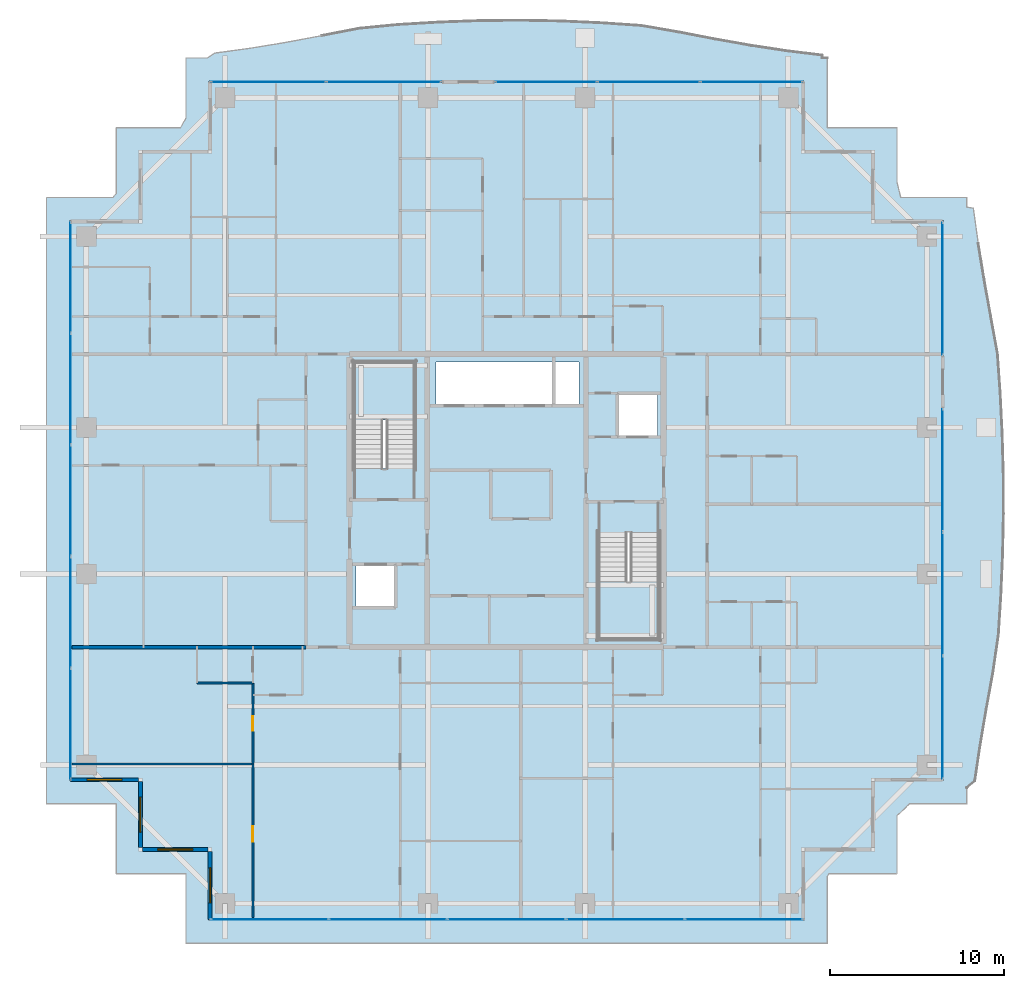
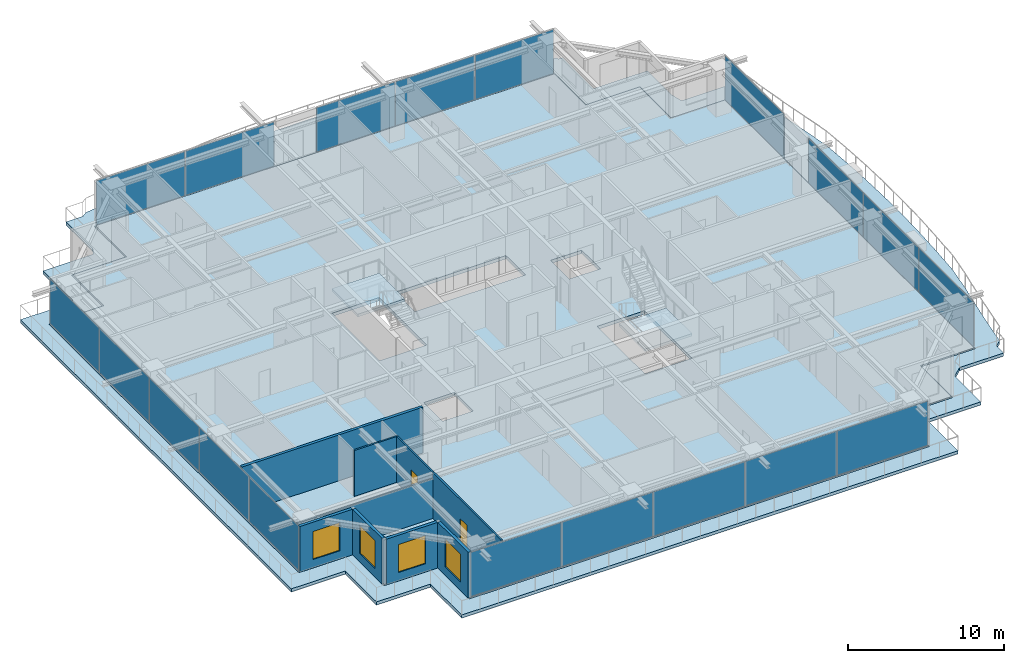
# One storey, part 25 of 37: 19 plates, 9 walls, 4 slabs, 4 windows, 2 doors, 6 openings, 8 elements without a shape of their own.
"""IFC4 building model written with IfcOpenShell, lengths in metres."""

from ifc_helpers import new_model, si_unit, direction, frame, frame_2d, origin, origin_2d, place, context, subcontext, project, spatial, polyline, rectangle, outline, extrude, source, transform, mapped, material, layer, layer_set, type_object, element, fill, aggregate, save


model = new_model("IFC4")

# Units and contexts
model_context = context("Model", 3, precision=1e-05, world=origin(), true_north=direction((0.0, 1.0)))
body_context = subcontext(model_context, "Body", "Model", "MODEL_VIEW")
ifc_project = project(units=[si_unit("LENGTHUNIT", "METRE"), si_unit("AREAUNIT", "SQUARE_METRE"), si_unit("VOLUMEUNIT", "CUBIC_METRE"), si_unit("PLANEANGLEUNIT", "RADIAN"), si_unit("MASSUNIT", "GRAM", prefix="KILO")], contexts=[model_context])

# Site, building, storey
site_placement = place(None, origin())
site = spatial("IfcSite", under=ifc_project, at=site_placement, CompositionType="ELEMENT")
building_placement = place(site_placement, origin())
building = spatial("IfcBuilding", under=site, at=building_placement, Name="Serunith Strait Residences", CompositionType="ELEMENT")
storey_placement = place(building_placement, frame((0.0, 0.0, 279.75)))
storey = spatial("IfcBuildingStorey", under=building, at=storey_placement, Name="L70", CompositionType="ELEMENT", Elevation=279.75)

# Slab
ifc_material_1 = material(Name="Concrete C50/60", Category="concrete")
ifc_layer_1 = layer(ifc_material_1, 0.239990234375, Name="Concrete C50/60")
ifc_layer_set_1 = layer_set([ifc_layer_1], Name="Concrete C50/60")
slab_type_1 = type_object("IfcSlabType", Name="SLB-BALC-240", PredefinedType="FLOOR", material=ifc_layer_set_1)
slab_1_placement = place(storey_placement, frame((0.0, 0.0, -0.2900390625)))
element("IfcSlab", 1, at=slab_1_placement, inside=storey, type_object=slab_type_1, Name="L70 Planted Vertical-Forest Balcony Slab", PredefinedType="FLOOR", context=body_context, shape_type="SweptSolid", body=[
    extrude(outline(polyline([(10.02001953125, 46.580078125), (13.705078125, 46.580078125), (14.02001953125, 47.148193359375), (14.02001953125, 50.580078125), (15.25537109375, 50.580078125), (15.652587890625, 50.85546875), (17.677734375, 51.1328125), (19.721435546875, 51.46923828125), (21.802001953125, 51.85693359375), (23.93994140625, 52.27197265625), (26.19384765625, 52.48779296875), (28.49560546875, 52.62548828125), (30.823974609375, 52.710205078125), (33.164794921875, 52.732666015625), (35.502197265625, 52.68994140625), (37.8203125, 52.586181640625), (40.106201171875, 52.431396484375), (42.284912109375, 52.056640625), (44.385498046875, 51.65087890625), (46.43994140625, 51.287353515625), (48.468505859375, 50.98095703125), (50.486328125, 50.733642578125), (50.485107421875, 50.580078125), (50.780029296875, 50.580078125), (50.780029296875, 46.580078125), (54.780029296875, 46.580078125), (54.780029296875, 43.44970703125), (54.992431640625, 42.580078125), (58.780029296875, 42.580078125), (58.780029296875, 42.0302734375), (59.155517578125, 41.966796875), (59.43896484375, 39.936279296875), (59.7744140625, 37.883544921875), (60.150390625, 35.79150390625), (60.5419921875, 33.642578125), (60.701171875, 31.379150390625), (60.815185546875, 29.08349609375), (60.8798828125, 26.766357421875), (60.888916015625, 24.440185546875), (60.841552734375, 22.118896484375), (60.7421875, 19.81494140625), (60.599609375, 17.5390625), (60.28173828125, 15.348388671875), (59.897216796875, 13.23876953125), (59.546142578125, 11.174560546875), (59.24462890625, 9.137939453125), (58.780029296875, 8.743896484375), (58.780029296875, 7.820068359375), (55.502197265625, 7.820068359375), (54.780029296875, 7.14453125), (54.780029296875, 3.820068359375), (50.8818359375, 3.820068359375), (50.780029296875, 3.664306640625), (50.780029296875, -0.179931640625), (14.02001953125, -0.179931640625), (14.02001953125, 3.820068359375), (10.02001953125, 3.820068359375), (10.02001953125, 7.820068359375), (6.02001953125, 7.820068359375), (6.02001953125, 42.580078125), (9.824951171875, 42.580078125), (10.02001953125, 42.802001953125), (10.02001953125, 46.580078125)]), holes=[polyline([(49.455078125, 1.14501953125), (49.455078125, 5.14501953125), (53.455078125, 5.14501953125), (53.455078125, 9.14501953125), (57.455078125, 9.14501953125), (57.455078125, 41.2548828125), (53.455078125, 41.2548828125), (53.455078125, 45.2548828125), (49.455078125, 45.2548828125), (49.455078125, 49.2548828125), (15.344970703125, 49.2548828125), (15.344970703125, 45.2548828125), (11.344970703125, 45.2548828125), (11.344970703125, 41.2548828125), (7.344970703125, 41.2548828125), (7.344970703125, 9.14501953125), (11.344970703125, 9.14501953125), (11.344970703125, 5.14501953125), (15.344970703125, 5.14501953125), (15.344970703125, 1.14501953125), (49.455078125, 1.14501953125)])]), origin(), (0.0, 0.0, 1.0), 0.239990234375),
])

# Stair, slab
stair_type_1 = type_object("IfcStairType", Name="STR-CORE-1", PredefinedType="HALF_TURN_STAIR", material=ifc_material_1)
stair_1_placement = place(storey_placement, origin())
stair_1 = element("IfcStair", 2, at=stair_1_placement, inside=storey, type_object=stair_type_1, Name="L70 Protected Escape Stair ST-1", PredefinedType="HALF_TURN_STAIR")
ifc_layer_2 = layer(ifc_material_1, 0.199951171875, Name="Concrete C50/60")
ifc_layer_set_2 = layer_set([ifc_layer_2], Name="Concrete C50/60")
slab_type_2 = type_object("IfcSlabType", Name="SLB-LAND-200", PredefinedType="LANDING", material=ifc_layer_set_2)
slab_2_placement = place(storey_placement, frame((0.0, 0.0, 1.72509765625)))
slab_2 = element("IfcSlab", 3, at=slab_2_placement, type_object=slab_type_2, Name="ST-1 landing 1", PredefinedType="LANDING", context=body_context, shape_type="SweptSolid", body=[
    extrude(outline(polyline([(27.14990234375, 29.830078125), (27.14990234375, 33.14990234375), (23.64990234375, 33.14990234375), (23.64990234375, 29.830078125), (27.14990234375, 29.830078125)])), origin(), (0.0, 0.0, 1.0), 0.199951171875),
])
aggregate(stair_1, [slab_2])

stair_type_2 = type_object("IfcStairType", Name="STR-CORE-2", PredefinedType="HALF_TURN_STAIR", material=ifc_material_1)
stair_2_placement = place(storey_placement, origin())
stair_2 = element("IfcStair", 4, at=stair_2_placement, inside=storey, type_object=stair_type_2, Name="L70 Protected Escape Stair ST-2", PredefinedType="HALF_TURN_STAIR")
slab_3_placement = place(storey_placement, frame((0.0, 0.0, 1.72509765625)))
slab_3 = element("IfcSlab", 5, at=slab_3_placement, type_object=slab_type_2, Name="ST-2 landing 1", PredefinedType="LANDING", context=body_context, shape_type="SweptSolid", body=[
    extrude(outline(polyline([(37.64990234375, 20.570068359375), (37.64990234375, 17.25), (41.14990234375, 17.25), (41.14990234375, 20.570068359375), (37.64990234375, 20.570068359375)])), origin(), (0.0, 0.0, 1.0), 0.199951171875),
])
aggregate(stair_2, [slab_3])

# Slab
ifc_material_2 = material(Name="Concrete C60/75", Category="concrete")
ifc_layer_3 = layer(ifc_material_2, 0.260009765625, Name="Concrete C60/75")
ifc_layer_set_3 = layer_set([ifc_layer_3], Name="Concrete C60/75")
slab_type_3 = type_object("IfcSlabType", Name="SLB-TWR-275-Z3", PredefinedType="FLOOR", material=ifc_layer_set_3)
slab_4_placement = place(storey_placement, frame((0.0, 0.0, -0.260009765625)))
element("IfcSlab", 6, at=slab_4_placement, inside=storey, type_object=slab_type_3, Name="L70 Structural Floor Plate", PredefinedType="FLOOR", context=body_context, shape_type="SweptSolid", body=[
    extrude(outline(polyline([(15.39990234375, 5.199951171875), (11.39990234375, 5.199951171875), (11.39990234375, 9.199951171875), (7.39990234375, 9.199951171875), (7.39990234375, 41.199951171875), (11.39990234375, 41.199951171875), (11.39990234375, 45.199951171875), (15.39990234375, 45.199951171875), (15.39990234375, 49.199951171875), (49.39990234375, 49.199951171875), (49.39990234375, 45.199951171875), (53.39990234375, 45.199951171875), (53.39990234375, 41.199951171875), (57.39990234375, 41.199951171875), (57.39990234375, 9.199951171875), (53.39990234375, 9.199951171875), (53.39990234375, 5.199951171875), (49.39990234375, 5.199951171875), (49.39990234375, 1.199951171875), (15.39990234375, 1.199951171875), (15.39990234375, 5.199951171875)]), holes=[polyline([(41.14990234375, 23.3701171875), (37.64990234375, 23.3701171875), (37.64990234375, 17.25), (41.14990234375, 17.25), (41.14990234375, 23.3701171875)]), polyline([(38.75, 31.25), (38.75, 28.85009765625), (41.050048828125, 28.85009765625), (41.050048828125, 31.25), (38.75, 31.25)]), polyline([(36.550048828125, 33.14990234375), (28.35009765625, 33.14990234375), (28.35009765625, 30.64990234375), (36.550048828125, 30.64990234375), (36.550048828125, 33.14990234375)]), polyline([(23.64990234375, 33.14990234375), (23.64990234375, 27.030029296875), (27.14990234375, 27.030029296875), (27.14990234375, 33.14990234375), (23.64990234375, 33.14990234375)]), polyline([(23.75, 21.550048828125), (23.75, 19.14990234375), (26.050048828125, 19.14990234375), (26.050048828125, 21.550048828125), (23.75, 21.550048828125)])]), origin(), (0.0, 0.0, 1.0), 0.260009765625),
])

# Curtain wall, plates
ifc_material_3 = material(Name="Pale-Champagne Anodised Aluminium", Category="aluminium")
ifc_layer_4 = layer(ifc_material_3, 0.199951171875, Name="Pale-Champagne Anodised Aluminium")
ifc_layer_set_4 = layer_set([ifc_layer_4], Name="Pale-Champagne Anodised Aluminium")
curtain_wall_type = type_object("IfcCurtainWallType", Name="CW-SYS4", PredefinedType="NOTDEFINED", material=ifc_layer_set_4)
curtain_wall_1_placement = place(storey_placement, origin())
curtain_wall_1 = element("IfcCurtainWall", 7, at=curtain_wall_1_placement, inside=storey, type_object=curtain_wall_type, Name="L70 W Unitised Fritted Curtain Wall", PredefinedType="NOTDEFINED")
ifc_material_4 = material(Name="Ceramic-Printed Solar-Control Glazing 28mm", Category="glass")
ifc_layer_5 = layer(ifc_material_4, 0.028076171875, Name="Ceramic-Printed Solar-Control Glazing 28mm")
ifc_layer_set_5 = layer_set([ifc_layer_5], Name="Ceramic-Printed Solar-Control Glazing 28mm")
plate_type = type_object("IfcPlateType", Name="CW-SYS4-PNL", PredefinedType="CURTAIN_PANEL", material=ifc_layer_set_5)
shared_shape_1 = source(origin(), body_context, "Body", "SweptSolid", [
    extrude(rectangle(XDim=6.302490234375, YDim=0.028076171875, at=origin_2d()), origin(), (0.0, 0.0, 1.0), 3.455078125),
])
plate_1_placement = place(storey_placement, frame((7.39990234375, 37.983642578125, 0.06005859375), z_axis=(0.0, 0.0, 1.0), x_axis=(0.0, -1.0, 0.0)))
plate_1 = element("IfcPlate", 8, at=plate_1_placement, type_object=plate_type, Name="CW-4 panel 1.1", PredefinedType="CURTAIN_PANEL", context=body_context, shape_type="MappedRepresentation", body=[
    mapped(shared_shape_1, transform((0.0, 0.0, 0.0), scale=1.0)),
])
plate_2_placement = place(storey_placement, frame((7.39990234375, 12.416259765625, 0.06005859375), z_axis=(0.0, 0.0, 1.0), x_axis=(0.0, -1.0, 0.0)))
plate_2 = element("IfcPlate", 9, at=plate_2_placement, type_object=plate_type, Name="CW-4 panel 5.1", PredefinedType="CURTAIN_PANEL", context=body_context, shape_type="MappedRepresentation", body=[
    mapped(shared_shape_1, transform((0.0, 0.0, 0.0), scale=1.0)),
])
shared_shape_2 = source(origin(), body_context, "Body", "SweptSolid", [
    extrude(rectangle(XDim=6.3349609375, YDim=0.028076171875, at=origin_2d()), origin(), (0.0, 0.0, 1.0), 3.455078125),
])
plate_3_placement = place(storey_placement, frame((7.39990234375, 31.60009765625, 0.06005859375), z_axis=(0.0, 0.0, 1.0), x_axis=(0.0, -1.0, 0.0)))
plate_3 = element("IfcPlate", 10, at=plate_3_placement, type_object=plate_type, Name="CW-4 panel 2.1", PredefinedType="CURTAIN_PANEL", context=body_context, shape_type="MappedRepresentation", body=[
    mapped(shared_shape_2, transform((0.0, 0.0, 0.0), scale=1.0)),
])
plate_4_placement = place(storey_placement, frame((7.39990234375, 25.199951171875, 0.06005859375), z_axis=(0.0, 0.0, 1.0), x_axis=(0.0, -1.0, 0.0)))
plate_4 = element("IfcPlate", 11, at=plate_4_placement, type_object=plate_type, Name="CW-4 panel 3.1", PredefinedType="CURTAIN_PANEL", context=body_context, shape_type="MappedRepresentation", body=[
    mapped(shared_shape_2, transform((0.0, 0.0, 0.0), scale=1.0)),
])
plate_5_placement = place(storey_placement, frame((7.39990234375, 18.800048828125, 0.06005859375), z_axis=(0.0, 0.0, 1.0), x_axis=(0.0, -1.0, 0.0)))
plate_5 = element("IfcPlate", 12, at=plate_5_placement, type_object=plate_type, Name="CW-4 panel 4.1", PredefinedType="CURTAIN_PANEL", context=body_context, shape_type="MappedRepresentation", body=[
    mapped(shared_shape_2, transform((0.0, 0.0, 0.0), scale=1.0)),
])
aggregate(curtain_wall_1, [plate_1, plate_3, plate_4, plate_5, plate_2])

curtain_wall_2_placement = place(storey_placement, origin())
curtain_wall_2 = element("IfcCurtainWall", 13, at=curtain_wall_2_placement, inside=storey, type_object=curtain_wall_type, Name="L70 S Unitised Fritted Curtain Wall", PredefinedType="NOTDEFINED")
shared_shape_3 = source(origin(), body_context, "Body", "SweptSolid", [
    extrude(rectangle(XDim=6.702392578125, YDim=0.028076171875, at=origin_2d()), origin(), (0.0, 0.0, 1.0), 3.455078125),
])
plate_6_placement = place(storey_placement, frame((18.816162109375, 1.199951171875, 0.06005859375), z_axis=(0.0, 0.0, 1.0), x_axis=(1.0, 0.0, 0.0)))
plate_6 = element("IfcPlate", 14, at=plate_6_placement, type_object=plate_type, Name="CW-4 panel 1.1", PredefinedType="CURTAIN_PANEL", context=body_context, shape_type="MappedRepresentation", body=[
    mapped(shared_shape_3, transform((0.0, 0.0, 0.0), scale=1.0)),
])
plate_7_placement = place(storey_placement, frame((45.983642578125, 1.199951171875, 0.06005859375), z_axis=(0.0, 0.0, 1.0), x_axis=(1.0, 0.0, 0.0)))
plate_7 = element("IfcPlate", 15, at=plate_7_placement, type_object=plate_type, Name="CW-4 panel 5.1", PredefinedType="CURTAIN_PANEL", context=body_context, shape_type="MappedRepresentation", body=[
    mapped(shared_shape_3, transform((0.0, 0.0, 0.0), scale=1.0)),
])
shared_shape_4 = source(origin(), body_context, "Body", "SweptSolid", [
    extrude(rectangle(XDim=6.735107421875, YDim=0.028076171875, at=origin_2d()), origin(), (0.0, 0.0, 1.0), 3.455078125),
])
plate_8_placement = place(storey_placement, frame((25.60009765625, 1.199951171875, 0.06005859375), z_axis=(0.0, 0.0, 1.0), x_axis=(1.0, 0.0, 0.0)))
plate_8 = element("IfcPlate", 16, at=plate_8_placement, type_object=plate_type, Name="CW-4 panel 2.1", PredefinedType="CURTAIN_PANEL", context=body_context, shape_type="MappedRepresentation", body=[
    mapped(shared_shape_4, transform((0.0, 0.0, 0.0), scale=1.0)),
])
plate_9_placement = place(storey_placement, frame((32.39990234375, 1.199951171875, 0.06005859375), z_axis=(0.0, 0.0, 1.0), x_axis=(1.0, 0.0, 0.0)))
plate_9 = element("IfcPlate", 17, at=plate_9_placement, type_object=plate_type, Name="CW-4 panel 3.1", PredefinedType="CURTAIN_PANEL", context=body_context, shape_type="MappedRepresentation", body=[
    mapped(shared_shape_4, transform((0.0, 0.0, 0.0), scale=1.0)),
])
plate_10_placement = place(storey_placement, frame((39.199951171875, 1.199951171875, 0.06005859375), z_axis=(0.0, 0.0, 1.0), x_axis=(1.0, 0.0, 0.0)))
plate_10 = element("IfcPlate", 18, at=plate_10_placement, type_object=plate_type, Name="CW-4 panel 4.1", PredefinedType="CURTAIN_PANEL", context=body_context, shape_type="MappedRepresentation", body=[
    mapped(shared_shape_4, transform((0.0, 0.0, 0.0), scale=1.0)),
])
aggregate(curtain_wall_2, [plate_6, plate_8, plate_9, plate_10, plate_7])

curtain_wall_3_placement = place(storey_placement, origin())
curtain_wall_3 = element("IfcCurtainWall", 19, at=curtain_wall_3_placement, inside=storey, type_object=curtain_wall_type, Name="L70 N Unitised Fritted Curtain Wall", PredefinedType="NOTDEFINED")
shared_shape_5 = source(origin(), body_context, "Body", "SweptSolid", [
    extrude(rectangle(XDim=6.552490234375, YDim=0.028076171875, at=origin_2d()), origin(), (0.0, 0.0, 1.0), 3.455078125),
])
plate_11_placement = place(storey_placement, frame((25.358642578125, 49.199951171875, 0.06005859375), z_axis=(0.0, 0.0, 1.0), x_axis=(-1.0, 0.0, 0.0)))
plate_11 = element("IfcPlate", 20, at=plate_11_placement, type_object=plate_type, Name="CW-4 panel 1.1", PredefinedType="CURTAIN_PANEL", context=body_context, shape_type="MappedRepresentation", body=[
    mapped(shared_shape_5, transform((0.0, 0.0, 0.0), scale=1.0)),
])
plate_12_placement = place(storey_placement, frame((18.7412109375, 49.199951171875, 0.06005859375), z_axis=(0.0, 0.0, 1.0), x_axis=(-1.0, 0.0, 0.0)))
plate_12 = element("IfcPlate", 21, at=plate_12_placement, type_object=plate_type, Name="CW-4 panel 2.1", PredefinedType="CURTAIN_PANEL", context=body_context, shape_type="MappedRepresentation", body=[
    mapped(shared_shape_5, transform((0.0, 0.0, 0.0), scale=1.0)),
])
aggregate(curtain_wall_3, [plate_11, plate_12])

curtain_wall_4_placement = place(storey_placement, origin())
curtain_wall_4 = element("IfcCurtainWall", 22, at=curtain_wall_4_placement, inside=storey, type_object=curtain_wall_type, Name="L70 N Unitised Fritted Curtain Wall", PredefinedType="NOTDEFINED")
shared_shape_6 = source(origin(), body_context, "Body", "SweptSolid", [
    extrude(rectangle(XDim=5.802490234375, YDim=0.028076171875, at=origin_2d()), origin(), (0.0, 0.0, 1.0), 3.455078125),
])
plate_13_placement = place(storey_placement, frame((46.433837890625, 49.199951171875, 0.06005859375), z_axis=(0.0, 0.0, 1.0), x_axis=(-1.0, 0.0, 0.0)))
plate_13 = element("IfcPlate", 23, at=plate_13_placement, type_object=plate_type, Name="CW-4 panel 1.1", PredefinedType="CURTAIN_PANEL", context=body_context, shape_type="MappedRepresentation", body=[
    mapped(shared_shape_6, transform((0.0, 0.0, 0.0), scale=1.0)),
])
plate_14_placement = place(storey_placement, frame((34.666259765625, 49.199951171875, 0.06005859375), z_axis=(0.0, 0.0, 1.0), x_axis=(-1.0, 0.0, 0.0)))
plate_14 = element("IfcPlate", 24, at=plate_14_placement, type_object=plate_type, Name="CW-4 panel 3.1", PredefinedType="CURTAIN_PANEL", context=body_context, shape_type="MappedRepresentation", body=[
    mapped(shared_shape_6, transform((0.0, 0.0, 0.0), scale=1.0)),
])
shared_shape_7 = source(origin(), body_context, "Body", "SweptSolid", [
    extrude(rectangle(XDim=5.8349609375, YDim=0.028076171875, at=origin_2d()), origin(), (0.0, 0.0, 1.0), 3.455078125),
])
plate_15_placement = place(storey_placement, frame((40.550048828125, 49.199951171875, 0.06005859375), z_axis=(0.0, 0.0, 1.0), x_axis=(-1.0, 0.0, 0.0)))
plate_15 = element("IfcPlate", 25, at=plate_15_placement, type_object=plate_type, Name="CW-4 panel 2.1", PredefinedType="CURTAIN_PANEL", context=body_context, shape_type="MappedRepresentation", body=[
    mapped(shared_shape_7, transform((0.0, 0.0, 0.0), scale=1.0)),
])
aggregate(curtain_wall_4, [plate_13, plate_15, plate_14])

curtain_wall_5_placement = place(storey_placement, origin())
curtain_wall_5 = element("IfcCurtainWall", 26, at=curtain_wall_5_placement, inside=storey, type_object=curtain_wall_type, Name="L70 E Unitised Fritted Curtain Wall", PredefinedType="NOTDEFINED")
shared_shape_8 = source(origin(), body_context, "Body", "SweptSolid", [
    extrude(rectangle(XDim=7.00244140625, YDim=0.028076171875, at=origin_2d()), origin(), (0.0, 0.0, 1.0), 3.455078125),
])
plate_16_placement = place(storey_placement, frame((57.39990234375, 12.766357421875, 0.06005859375), z_axis=(0.0, 0.0, 1.0), x_axis=(0.0, 1.0, 0.0)))
plate_16 = element("IfcPlate", 27, at=plate_16_placement, type_object=plate_type, Name="CW-4 panel 1.1", PredefinedType="CURTAIN_PANEL", context=body_context, shape_type="MappedRepresentation", body=[
    mapped(shared_shape_8, transform((0.0, 0.0, 0.0), scale=1.0)),
])
plate_17_placement = place(storey_placement, frame((57.39990234375, 26.933837890625, 0.06005859375), z_axis=(0.0, 0.0, 1.0), x_axis=(0.0, 1.0, 0.0)))
plate_17 = element("IfcPlate", 28, at=plate_17_placement, type_object=plate_type, Name="CW-4 panel 3.1", PredefinedType="CURTAIN_PANEL", context=body_context, shape_type="MappedRepresentation", body=[
    mapped(shared_shape_8, transform((0.0, 0.0, 0.0), scale=1.0)),
])
shared_shape_9 = source(origin(), body_context, "Body", "SweptSolid", [
    extrude(rectangle(XDim=7.034912109375, YDim=0.028076171875, at=origin_2d()), origin(), (0.0, 0.0, 1.0), 3.455078125),
])
plate_18_placement = place(storey_placement, frame((57.39990234375, 19.85009765625, 0.06005859375), z_axis=(0.0, 0.0, 1.0), x_axis=(0.0, 1.0, 0.0)))
plate_18 = element("IfcPlate", 29, at=plate_18_placement, type_object=plate_type, Name="CW-4 panel 2.1", PredefinedType="CURTAIN_PANEL", context=body_context, shape_type="MappedRepresentation", body=[
    mapped(shared_shape_9, transform((0.0, 0.0, 0.0), scale=1.0)),
])
aggregate(curtain_wall_5, [plate_16, plate_18, plate_17])

# Curtain wall, plate
curtain_wall_6_placement = place(storey_placement, origin())
curtain_wall_6 = element("IfcCurtainWall", 30, at=curtain_wall_6_placement, inside=storey, type_object=curtain_wall_type, Name="L70 E Unitised Fritted Curtain Wall", PredefinedType="NOTDEFINED")
shared_shape_10 = source(origin(), body_context, "Body", "SweptSolid", [
    extrude(rectangle(XDim=7.570068359375, YDim=0.028076171875, at=origin_2d()), origin(), (0.0, 0.0, 1.0), 3.455078125),
])
plate_19_placement = place(storey_placement, frame((57.39990234375, 37.35009765625, 0.06005859375), z_axis=(0.0, 0.0, 1.0), x_axis=(0.0, 1.0, 0.0)))
plate_19 = element("IfcPlate", 31, at=plate_19_placement, type_object=plate_type, Name="CW-4 panel 1.1", PredefinedType="CURTAIN_PANEL", context=body_context, shape_type="MappedRepresentation", body=[
    mapped(shared_shape_10, transform((0.0, 0.0, 0.0), scale=1.0)),
])
aggregate(curtain_wall_6, [plate_19])

# Wall, opening, window
ifc_material_5 = material(Name="Pale-Champagne Aluminium Insulated Panel", Category="aluminium")
ifc_layer_6 = layer(ifc_material_5, 0.219970703125, Name="Pale-Champagne Aluminium Insulated Panel")
ifc_layer_set_6 = layer_set([ifc_layer_6], Name="Pale-Champagne Aluminium Insulated Panel")
wall_type_1 = type_object("IfcWallType", Name="EW-ALUM-220", PredefinedType="ELEMENTEDWALL", material=ifc_layer_set_6)
wall_1_placement = place(storey_placement, frame((7.39990234375, 9.199951171875, 0.0), z_axis=(0.0, 0.0, 1.0), x_axis=(1.0, 0.0, 0.0)))
wall_1 = element("IfcWall", 32, at=wall_1_placement, inside=storey, type_object=wall_type_1, Name="L70 Girih Serrated Corner Wall 17", PredefinedType="ELEMENTEDWALL", context=body_context, shape_type="SweptSolid", body=[
    extrude(rectangle(XDim=3.89013671875, YDim=0.219970703125, at=frame_2d((1.945068359375, 0.0))), origin(), (0.0, 0.0, 1.0), 3.574951171875),
])
opening_1_placement = place(wall_1_placement, frame((0.945068359375, 0.0, 0.64990234375)))
opening_1 = element("IfcOpeningElement", 33, at=opening_1_placement, cuts=wall_1, Name="Opening W-04", PredefinedType="OPENING", context=body_context, shape_type="SweptSolid", body=[
    extrude(rectangle(XDim=2.0, YDim=2.199951171875, at=frame_2d((1.0, 1.10009765625))), frame((0.0, 0.1201171875, 0.0), z_axis=(0.0, -1.0, 0.0), x_axis=(1.0, 0.0, 0.0)), (0.0, 0.0, 1.0), 0.239990234375),
])
ifc_material_6 = material(Name="Ceramic-Fritted Operable Aluminium Window Glass", Category="aluminium")
window_type = type_object("IfcWindowType", Name="WIN-C4", PartitioningType="TRIPLE_PANEL_VERTICAL", PredefinedType="WINDOW", material=ifc_material_6)
shared_shape_11 = source(origin(), body_context, "Body", "SweptSolid", [
    extrude(rectangle(XDim=2.0, YDim=2.199951171875, at=frame_2d((1.0, 1.10009765625))), frame((0.0, 0.030029296875, 0.0), z_axis=(0.0, -1.0, 0.0), x_axis=(1.0, 0.0, 0.0)), (0.0, 0.0, 1.0), 0.06005859375),
])
window_1_placement = place(opening_1_placement, origin())
window_1 = element("IfcWindow", 34, at=window_1_placement, inside=storey, type_object=window_type, Name="L70 Corner Operable Fritted Window 17", OverallHeight=2.199951171875, OverallWidth=2.0, PartitioningType="SINGLE_PANEL", PredefinedType="WINDOW", context=body_context, shape_type="MappedRepresentation", body=[
    mapped(shared_shape_11, transform((0.0, 0.0, 0.0), scale=1.0)),
])
fill(opening_1, window_1)

wall_2_placement = place(storey_placement, frame((11.39990234375, 9.090087890625, 0.0), z_axis=(0.0, 0.0, 1.0), x_axis=(0.0, -1.0, 0.0)))
wall_2 = element("IfcWall", 35, at=wall_2_placement, inside=storey, type_object=wall_type_1, Name="L70 Girih Serrated Corner Wall 18", PredefinedType="ELEMENTEDWALL", context=body_context, shape_type="SweptSolid", body=[
    extrude(rectangle(XDim=3.780029296875, YDim=0.219970703125, at=frame_2d((1.89013671875, 0.0))), origin(), (0.0, 0.0, 1.0), 3.574951171875),
])
opening_2_placement = place(wall_2_placement, frame((0.889892578125, 0.0, 0.64990234375)))
opening_2 = element("IfcOpeningElement", 36, at=opening_2_placement, cuts=wall_2, Name="Opening W-04", PredefinedType="OPENING", context=body_context, shape_type="SweptSolid", body=[
    extrude(rectangle(XDim=2.0, YDim=2.199951171875, at=frame_2d((1.0, 1.10009765625))), frame((0.0, 0.1201171875, 0.0), z_axis=(0.0, -1.0, 0.0), x_axis=(1.0, 0.0, 0.0)), (0.0, 0.0, 1.0), 0.239990234375),
])
window_2_placement = place(opening_2_placement, origin())
window_2 = element("IfcWindow", 37, at=window_2_placement, inside=storey, type_object=window_type, Name="L70 Corner Operable Fritted Window 18", OverallHeight=2.199951171875, OverallWidth=2.0, PartitioningType="SINGLE_PANEL", PredefinedType="WINDOW", context=body_context, shape_type="MappedRepresentation", body=[
    mapped(shared_shape_11, transform((0.0, 0.0, 0.0), scale=1.0)),
])
fill(opening_2, window_2)

wall_3_placement = place(storey_placement, frame((11.510009765625, 5.199951171875, 0.0), z_axis=(0.0, 0.0, 1.0), x_axis=(1.0, 0.0, 0.0)))
wall_3 = element("IfcWall", 38, at=wall_3_placement, inside=storey, type_object=wall_type_1, Name="L70 Girih Serrated Corner Wall 19", PredefinedType="ELEMENTEDWALL", context=body_context, shape_type="SweptSolid", body=[
    extrude(rectangle(XDim=3.780029296875, YDim=0.219970703125, at=frame_2d((1.89013671875, 0.0))), origin(), (0.0, 0.0, 1.0), 3.574951171875),
])
opening_3_placement = place(wall_3_placement, frame((0.889892578125, 0.0, 0.64990234375)))
opening_3 = element("IfcOpeningElement", 39, at=opening_3_placement, cuts=wall_3, Name="Opening W-04", PredefinedType="OPENING", context=body_context, shape_type="SweptSolid", body=[
    extrude(rectangle(XDim=2.0, YDim=2.199951171875, at=frame_2d((1.0, 1.10009765625))), frame((0.0, 0.1201171875, 0.0), z_axis=(0.0, -1.0, 0.0), x_axis=(1.0, 0.0, 0.0)), (0.0, 0.0, 1.0), 0.239990234375),
])
window_3_placement = place(opening_3_placement, origin())
window_3 = element("IfcWindow", 40, at=window_3_placement, inside=storey, type_object=window_type, Name="L70 Corner Operable Fritted Window 19", OverallHeight=2.199951171875, OverallWidth=2.0, PartitioningType="SINGLE_PANEL", PredefinedType="WINDOW", context=body_context, shape_type="MappedRepresentation", body=[
    mapped(shared_shape_11, transform((0.0, 0.0, 0.0), scale=1.0)),
])
fill(opening_3, window_3)

wall_4_placement = place(storey_placement, frame((15.39990234375, 5.090087890625, 0.0), z_axis=(0.0, 0.0, 1.0), x_axis=(0.0, -1.0, 0.0)))
wall_4 = element("IfcWall", 41, at=wall_4_placement, inside=storey, type_object=wall_type_1, Name="L70 Girih Serrated Corner Wall 20", PredefinedType="ELEMENTEDWALL", context=body_context, shape_type="SweptSolid", body=[
    extrude(rectangle(XDim=3.89013671875, YDim=0.219970703125, at=frame_2d((1.945068359375, 0.0))), origin(), (0.0, 0.0, 1.0), 3.574951171875),
])
opening_4_placement = place(wall_4_placement, frame((0.945068359375, 0.0, 0.64990234375)))
opening_4 = element("IfcOpeningElement", 42, at=opening_4_placement, cuts=wall_4, Name="Opening W-04", PredefinedType="OPENING", context=body_context, shape_type="SweptSolid", body=[
    extrude(rectangle(XDim=2.0, YDim=2.199951171875, at=frame_2d((1.0, 1.10009765625))), frame((0.0, 0.1201171875, 0.0), z_axis=(0.0, -1.0, 0.0), x_axis=(1.0, 0.0, 0.0)), (0.0, 0.0, 1.0), 0.239990234375),
])
window_4_placement = place(opening_4_placement, origin())
window_4 = element("IfcWindow", 43, at=window_4_placement, inside=storey, type_object=window_type, Name="L70 Corner Operable Fritted Window 20", OverallHeight=2.199951171875, OverallWidth=2.0, PartitioningType="SINGLE_PANEL", PredefinedType="WINDOW", context=body_context, shape_type="MappedRepresentation", body=[
    mapped(shared_shape_11, transform((0.0, 0.0, 0.0), scale=1.0)),
])
fill(opening_4, window_4)

# Wall, opening, door
ifc_material_7 = material(Name="Lightweight steel-stud gypsum partition", Category="steel")
ifc_layer_7 = layer(ifc_material_7, 0.1201171875, Name="Lightweight steel-stud gypsum partition")
ifc_layer_set_7 = layer_set([ifc_layer_7], Name="Lightweight steel-stud gypsum partition")
wall_type_2 = type_object("IfcWallType", Name="IW-PART-120", PredefinedType="PARTITIONING", material=ifc_layer_set_7)
wall_5_placement = place(storey_placement, frame((17.85009765625, 1.294921875, 0.0), z_axis=(0.0, 0.0, 1.0), x_axis=(0.0, 1.0, 0.0)))
wall_5 = element("IfcWall", 44, at=wall_5_placement, inside=storey, type_object=wall_type_2, Name="L70 Partition Wall 034", PredefinedType="PARTITIONING", context=body_context, shape_type="SweptSolid", body=[
    extrude(rectangle(XDim=8.799072265625, YDim=0.1201171875, at=frame_2d((4.3994140625, 0.0))), origin(), (0.0, 0.0, 1.0), 3.590087890625),
])
opening_5_placement = place(wall_5_placement, frame((4.343994140625, 0.0, 0.0)))
opening_5 = element("IfcOpeningElement", 45, at=opening_5_placement, cuts=wall_5, Name="Opening D-RM900", PredefinedType="OPENING", context=body_context, shape_type="SweptSolid", body=[
    extrude(rectangle(XDim=0.89990234375, YDim=2.10009765625, at=frame_2d((0.449951171875, 1.050048828125))), frame((0.0, 0.070068359375, 0.0), z_axis=(0.0, -1.0, 0.0), x_axis=(1.0, 0.0, 0.0)), (0.0, 0.0, 1.0), 0.14013671875),
])
ifc_material_8 = material(Name="Engineered timber flush bedroom door", Category="wood")
door_type_1 = type_object("IfcDoorType", Name="ID-ROOM-900", OperationType="NOTDEFINED", PredefinedType="DOOR", material=ifc_material_8)
shared_shape_12 = source(origin(), body_context, "Body", "SweptSolid", [
    extrude(rectangle(XDim=0.89990234375, YDim=2.10009765625, at=frame_2d((0.449951171875, 1.050048828125))), frame((0.0, 0.02490234375, 0.0), z_axis=(0.0, -1.0, 0.0), x_axis=(1.0, 0.0, 0.0)), (0.0, 0.0, 1.0), 0.050048828125),
])
door_1_placement = place(opening_5_placement, origin())
door_1 = element("IfcDoor", 46, at=door_1_placement, inside=storey, type_object=door_type_1, Name="L70 Master Bedroom 1 7001 Door", OperationType="SINGLE_SWING_RIGHT", OverallHeight=2.10009765625, OverallWidth=0.89990234375, PredefinedType="DOOR", context=body_context, shape_type="MappedRepresentation", body=[
    mapped(shared_shape_12, transform((0.0, 0.0, 0.0), scale=1.0)),
])
fill(opening_5, door_1)

# Walls
wall_6_placement = place(storey_placement, frame((7.4951171875, 10.093994140625, 0.0), z_axis=(0.0, 0.0, 1.0), x_axis=(1.0, 0.0, 0.0)))
element("IfcWall", 47, at=wall_6_placement, inside=storey, type_object=wall_type_2, Name="L70 Partition Wall 035", PredefinedType="PARTITIONING", context=body_context, shape_type="SweptSolid", body=[
    extrude(rectangle(XDim=10.35498046875, YDim=0.1201171875, at=frame_2d((5.177490234375, 0.0))), origin(), (0.0, 0.0, 1.0), 3.1220703125),
])
wall_7_placement = place(storey_placement, frame((14.64990234375, 14.75, 0.0), z_axis=(0.0, 0.0, 1.0), x_axis=(1.0, 0.0, 0.0)))
element("IfcWall", 48, at=wall_7_placement, inside=storey, type_object=wall_type_2, Name="L70 Partition Wall 036", PredefinedType="PARTITIONING", context=body_context, shape_type="SweptSolid", body=[
    extrude(rectangle(XDim=3.2001953125, YDim=0.1201171875, at=frame_2d((1.60009765625, 0.0))), origin(), (0.0, 0.0, 1.0), 3.590087890625),
])

# Wall, opening, door
wall_8_placement = place(storey_placement, frame((17.85009765625, 10.095947265625, 0.0), z_axis=(0.0, 0.0, 1.0), x_axis=(0.0, 1.0, 0.0)))
wall_8 = element("IfcWall", 49, at=wall_8_placement, inside=storey, type_object=wall_type_2, Name="L70 Partition Wall 038", PredefinedType="PARTITIONING", context=body_context, shape_type="SweptSolid", body=[
    extrude(rectangle(XDim=4.654052734375, YDim=0.1201171875, at=frame_2d((2.3271484375, 0.0))), origin(), (0.0, 0.0, 1.0), 3.590087890625),
])
opening_6_placement = place(wall_8_placement, frame((1.902099609375, 0.0, 0.0)))
opening_6 = element("IfcOpeningElement", 50, at=opening_6_placement, cuts=wall_8, Name="Opening D-RM850", PredefinedType="OPENING", context=body_context, shape_type="SweptSolid", body=[
    extrude(rectangle(XDim=0.85009765625, YDim=2.10009765625, at=frame_2d((0.425048828125, 1.050048828125))), frame((0.0, 0.070068359375, 0.0), z_axis=(0.0, -1.0, 0.0), x_axis=(1.0, 0.0, 0.0)), (0.0, 0.0, 1.0), 0.14013671875),
])
ifc_material_9 = material(Name="Engineered timber flush study and kitchen door", Category="wood")
door_type_2 = type_object("IfcDoorType", Name="ID-ROOM-850", OperationType="NOTDEFINED", PredefinedType="DOOR", material=ifc_material_9)
shared_shape_13 = source(origin(), body_context, "Body", "SweptSolid", [
    extrude(rectangle(XDim=0.85009765625, YDim=2.10009765625, at=frame_2d((0.425048828125, 1.050048828125))), frame((0.0, 0.02490234375, 0.0), z_axis=(0.0, -1.0, 0.0), x_axis=(1.0, 0.0, 0.0)), (0.0, 0.0, 1.0), 0.050048828125),
])
door_2_placement = place(opening_6_placement, origin())
door_2 = element("IfcDoor", 51, at=door_2_placement, inside=storey, type_object=door_type_2, Name="L70 Walk-in Wardrobe 7001 Door", OperationType="SINGLE_SWING_LEFT", OverallHeight=2.10009765625, OverallWidth=0.85009765625, PredefinedType="DOOR", context=body_context, shape_type="MappedRepresentation", body=[
    mapped(shared_shape_13, transform((0.0, 0.0, 0.0), scale=1.0)),
])
fill(opening_6, door_2)

# Wall
ifc_material_10 = material(Name="Twin-stud acoustic gypsum board partition")
ifc_layer_8 = layer(ifc_material_10, 0.199951171875, Name="Twin-stud acoustic gypsum board partition")
ifc_layer_set_8 = layer_set([ifc_layer_8], Name="Twin-stud acoustic gypsum board partition")
wall_type_3 = type_object("IfcWallType", Name="IW-PARTY-200", PredefinedType="PARTITIONING", material=ifc_layer_set_8)
wall_9_placement = place(storey_placement, frame((7.48193359375, 16.800048828125, 0.0), z_axis=(0.0, 0.0, 1.0), x_axis=(1.0, 0.0, 0.0)))
element("IfcWall", 52, at=wall_9_placement, inside=storey, type_object=wall_type_3, Name="L70 Partition Wall 022", PredefinedType="PARTITIONING", context=body_context, shape_type="SweptSolid", body=[
    extrude(rectangle(XDim=13.41796875, YDim=0.199951171875, at=frame_2d((6.708984375, 0.0))), origin(), (0.0, 0.0, 1.0), 3.590087890625),
])

save(model, "model.ifc")
